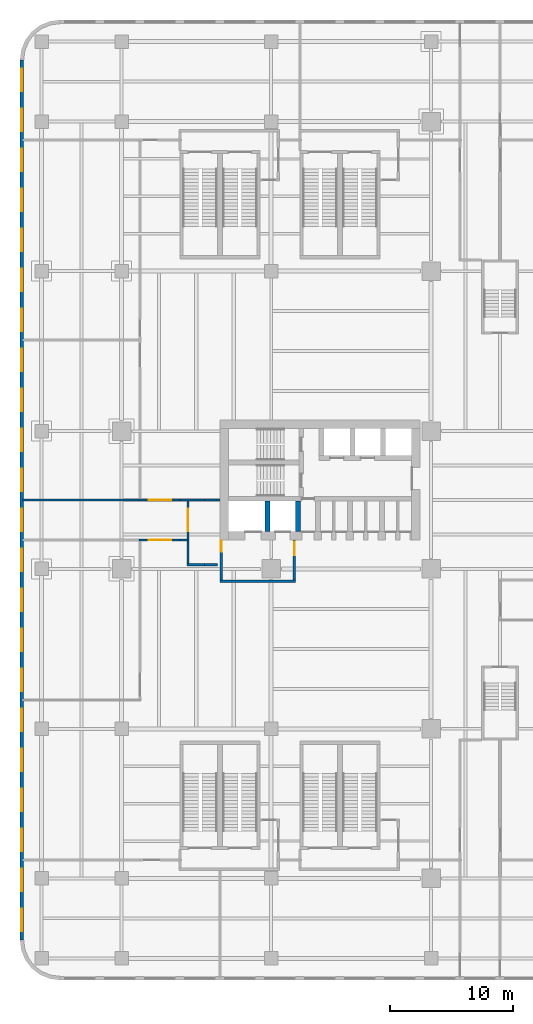
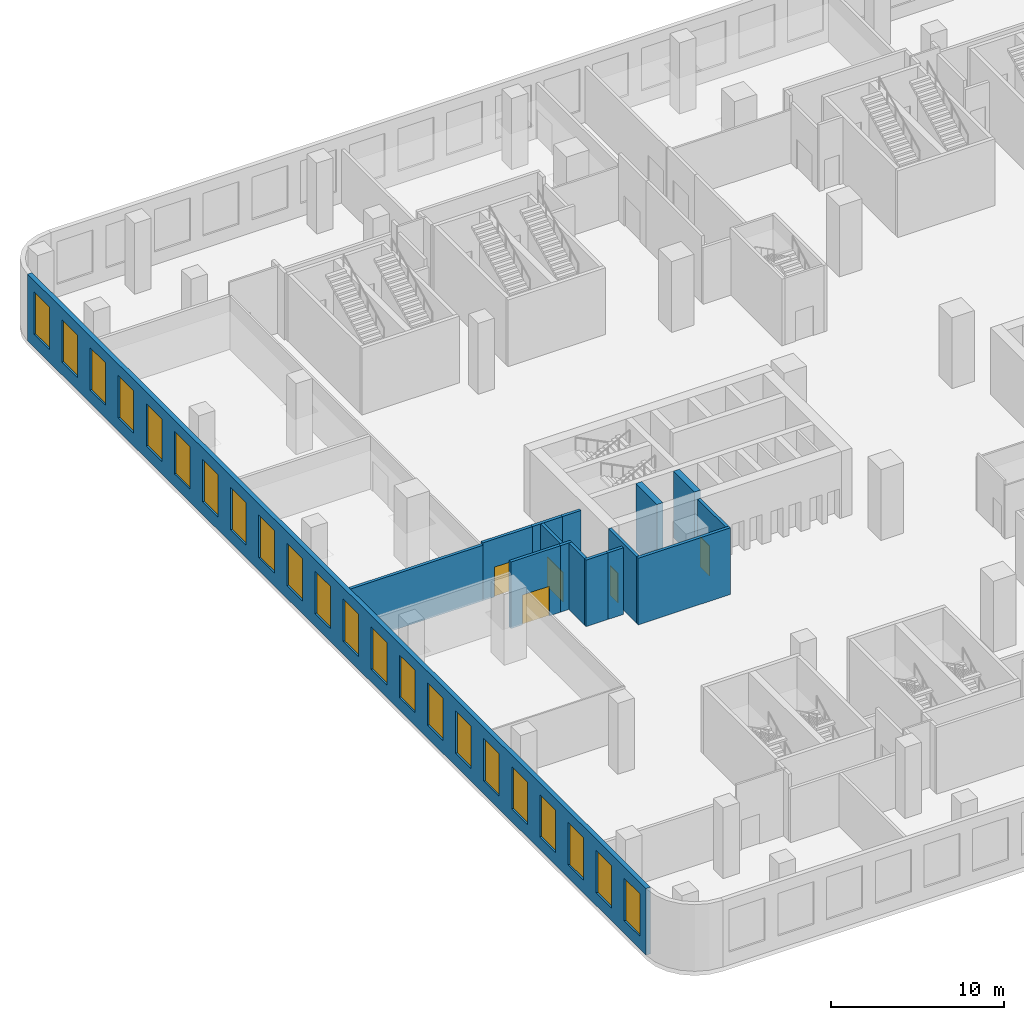
# One storey, part 8 of 17: 22 windows, 16 walls, 5 doors, 27 openings.
"""IFC4 building model written with IfcOpenShell, lengths in metres."""

from ifc_helpers import new_model, si_unit, direction, frame, frame_2d, origin, place, context, subcontext, project, spatial, rectangle, extrude, source, transform, mapped, material, layer, layer_set, type_object, element, fill, save


model = new_model("IFC4")

# Units and contexts
model_context = context("Model", 3, precision=1e-05, world=origin(), true_north=direction((0.0, 1.0)))
body_context = subcontext(model_context, "Body", "Model", "MODEL_VIEW")
ifc_project = project(units=[si_unit("LENGTHUNIT", "METRE"), si_unit("AREAUNIT", "SQUARE_METRE"), si_unit("VOLUMEUNIT", "CUBIC_METRE"), si_unit("PLANEANGLEUNIT", "RADIAN"), si_unit("MASSUNIT", "GRAM", prefix="KILO")], contexts=[model_context])

# Site, building, storey
site_placement = place(None, origin())
site = spatial("IfcSite", under=ifc_project, at=site_placement, CompositionType="ELEMENT")
building_placement = place(site_placement, origin())
building = spatial("IfcBuilding", under=site, at=building_placement, Name="Trellis Farm Tower", CompositionType="ELEMENT")
storey_placement = place(building_placement, frame((0.0, 0.0, 19.0)))
storey = spatial("IfcBuildingStorey", under=building, at=storey_placement, Name="L03", CompositionType="ELEMENT", Elevation=19.0)

# Walls
ifc_material_1 = material(Name="Concrete C80/95", Category="concrete")
ifc_layer_1 = layer(ifc_material_1, 0.39990234375)
ifc_layer_set_1 = layer_set([ifc_layer_1], Name="CORE INNER WALL 400 CONCRETE C80/95")
wall_type_1 = type_object("IfcWallType", Name="CORE INNER WALL 400 CONCRETE C80/95", PredefinedType="SHEAR", material=ifc_layer_set_1)
shared_shape_1 = source(origin(), body_context, "Body", "SweptSolid", [
    extrude(rectangle(XDim=2.449951171875, YDim=0.39990234375, at=frame_2d((1.22509765625, 0.0))), origin(), (0.0, 0.0, 1.0), 4.699951171875),
])
for number, where, z_axis, x_axis, name in (
    (1, (-16.39990234375, -0.10009765625, 0.0), (0.0, 0.0, 1.0), (0.0, -1.0, 0.0), "Core wall"),
    (2, (-18.89990234375, -0.10009765625, 0.0), (0.0, 0.0, 1.0), (0.0, -1.0, 0.0), "Core wall"),
):
    element("IfcWall", number, at=place(storey_placement, frame(where, z_axis=z_axis, x_axis=x_axis)), inside=storey, type_object=wall_type_1, Name=name, PredefinedType="SHEAR", context=body_context, shape_type="MappedRepresentation", body=[
        mapped(shared_shape_1, transform((0.0, 0.0, 0.0))),
    ])

# Wall, opening, door
ifc_material_2 = material(Name="Masonry blockwork", Category="masonry")
ifc_layer_2 = layer(ifc_material_2, 0.199951171875)
ifc_layer_set_2 = layer_set([ifc_layer_2], Name="FIRE LOBBY PARTITION 200 BLOCKWORK")
wall_type_2 = type_object("IfcWallType", Name="FIRE LOBBY PARTITION 200 BLOCKWORK", PredefinedType="PARTITIONING", material=ifc_layer_set_2)
shared_shape_2 = source(origin(), body_context, "Body", "SweptSolid", [
    extrude(rectangle(XDim=3.25, YDim=0.199951171875, at=frame_2d((1.625, 0.0))), origin(), (0.0, 0.0, 1.0), 4.699951171875),
])
wall_1_placement = place(storey_placement, frame((-16.699951171875, -3.25, 0.0), z_axis=(0.0, 0.0, 1.0), x_axis=(0.0, -1.0, 0.0)))
wall_1 = element("IfcWall", 3, at=wall_1_placement, inside=storey, type_object=wall_type_2, Name="Fire-fighting lobby partition", PredefinedType="PARTITIONING", context=body_context, shape_type="MappedRepresentation", body=[
    mapped(shared_shape_2, transform((0.0, 0.0, 0.0))),
])
shared_shape_3 = source(origin(), body_context, "Body", "SweptSolid", [
    extrude(rectangle(XDim=1.10009765625, YDim=2.10009765625, at=frame_2d((0.550048828125, 1.050048828125))), frame((0.0, 0.110107421875, 0.0), z_axis=(0.0, -1.0, 0.0), x_axis=(1.0, 0.0, 0.0)), (0.0, 0.0, 1.0), 0.22021484375),
])
opening_1_placement = place(wall_1_placement, frame((0.14990234375, 0.0, 0.0)))
opening_1 = element("IfcOpeningElement", 4, at=opening_1_placement, cuts=wall_1, Name="Opening DC93", PredefinedType="OPENING", context=body_context, shape_type="MappedRepresentation", body=[
    mapped(shared_shape_3, transform((0.0, 0.0, 0.0))),
])
ifc_material_3 = material(Name="Steel", Category="steel")
door_type_1 = type_object("IfcDoorType", Name="CORE FIRE DOOR 1100 X 2100", OperationType="NOTDEFINED", PredefinedType="DOOR", material=ifc_material_3)
shared_shape_4 = source(origin(), body_context, "Body", "SweptSolid", [
    extrude(rectangle(XDim=1.10009765625, YDim=2.10009765625, at=frame_2d((0.550048828125, 1.050048828125))), frame((0.0, 0.02490234375, 0.0), z_axis=(0.0, -1.0, 0.0), x_axis=(1.0, 0.0, 0.0)), (0.0, 0.0, 1.0), 0.050048828125),
])
door_1_placement = place(opening_1_placement, origin())
door_1 = element("IfcDoor", 5, at=door_1_placement, inside=storey, type_object=door_type_1, Name="Core door", OperationType="SINGLE_SWING_RIGHT", OverallHeight=2.10009765625, OverallWidth=1.10009765625, PredefinedType="DOOR", context=body_context, shape_type="MappedRepresentation", body=[
    mapped(shared_shape_4, transform((0.0, 0.0, 0.0))),
])
fill(opening_1, door_1)

wall_2_placement = place(storey_placement, frame((-22.64990234375, -3.25, 0.0), z_axis=(0.0, 0.0, 1.0), x_axis=(0.0, -1.0, 0.0)))
wall_2 = element("IfcWall", 6, at=wall_2_placement, inside=storey, type_object=wall_type_2, Name="Fire-fighting lobby partition", PredefinedType="PARTITIONING", context=body_context, shape_type="MappedRepresentation", body=[
    mapped(shared_shape_2, transform((0.0, 0.0, 0.0))),
])
shared_shape_5 = source(origin(), body_context, "Body", "SweptSolid", [
    extrude(rectangle(XDim=0.89990234375, YDim=2.10009765625, at=frame_2d((0.449951171875, 1.050048828125))), frame((0.0, 0.110107421875, 0.0), z_axis=(0.0, -1.0, 0.0), x_axis=(1.0, 0.0, 0.0)), (0.0, 0.0, 1.0), 0.22021484375),
])
opening_2_placement = place(wall_2_placement, frame((0.050048828125, 0.0, 0.0)))
opening_2 = element("IfcOpeningElement", 7, at=opening_2_placement, cuts=wall_2, Name="Opening DC94", PredefinedType="OPENING", context=body_context, shape_type="MappedRepresentation", body=[
    mapped(shared_shape_5, transform((0.0, 0.0, 0.0))),
])
door_type_2 = type_object("IfcDoorType", Name="CORE FIRE DOOR 900 X 2100", OperationType="NOTDEFINED", PredefinedType="DOOR", material=ifc_material_3)
shared_shape_6 = source(origin(), body_context, "Body", "SweptSolid", [
    extrude(rectangle(XDim=0.89990234375, YDim=2.10009765625, at=frame_2d((0.449951171875, 1.050048828125))), frame((0.0, 0.02490234375, 0.0), z_axis=(0.0, -1.0, 0.0), x_axis=(1.0, 0.0, 0.0)), (0.0, 0.0, 1.0), 0.050048828125),
])
door_2_placement = place(opening_2_placement, origin())
door_2 = element("IfcDoor", 8, at=door_2_placement, inside=storey, type_object=door_type_2, Name="Core door", OperationType="SINGLE_SWING_RIGHT", OverallHeight=2.10009765625, OverallWidth=0.89990234375, PredefinedType="DOOR", context=body_context, shape_type="MappedRepresentation", body=[
    mapped(shared_shape_6, transform((0.0, 0.0, 0.0))),
])
fill(opening_2, door_2)

# Wall
shared_shape_7 = source(origin(), body_context, "Body", "SweptSolid", [
    extrude(rectangle(XDim=6.14990234375, YDim=0.199951171875, at=frame_2d((3.074951171875, 0.0))), origin(), (0.0, 0.0, 1.0), 4.699951171875),
])
wall_3_placement = place(storey_placement, frame((-16.60009765625, -6.60009765625, 0.0), z_axis=(0.0, 0.0, 1.0), x_axis=(-1.0, 0.0, 0.0)))
element("IfcWall", 9, at=wall_3_placement, inside=storey, type_object=wall_type_2, Name="Fire-fighting lobby partition", PredefinedType="PARTITIONING", context=body_context, shape_type="MappedRepresentation", body=[
    mapped(shared_shape_7, transform((0.0, 0.0, 0.0))),
])

# Wall, openings, windows
ifc_material_4 = material(Name="Sandstone faced insulated wall", Category="masonry")
ifc_layer_3 = layer(ifc_material_4, 0.300048828125)
ifc_layer_set_3 = layer_set([ifc_layer_3], Name="STONE CLAD EXTERNAL WALL 300")
wall_type_3 = type_object("IfcWallType", Name="STONE CLAD EXTERNAL WALL 300", PredefinedType="SOLIDWALL", material=ifc_layer_set_3)
shared_shape_8 = source(origin(), body_context, "Body", "SweptSolid", [
    extrude(rectangle(XDim=71.5, YDim=0.300048828125, at=frame_2d((35.75, 0.0))), origin(), (0.0, 0.0, 1.0), 4.699951171875),
])
wall_4_placement = place(storey_placement, frame((-38.85009765625, 35.75, 0.0), z_axis=(0.0, 0.0, 1.0), x_axis=(0.0, -1.0, 0.0)))
wall_4 = element("IfcWall", 10, at=wall_4_placement, inside=storey, type_object=wall_type_3, Name="EW2 F03", PredefinedType="SOLIDWALL", context=body_context, shape_type="MappedRepresentation", body=[
    mapped(shared_shape_8, transform((0.0, 0.0, 0.0))),
])
shared_shape_9 = source(origin(), body_context, "Body", "SweptSolid", [
    extrude(rectangle(XDim=1.800048828125, YDim=3.0, at=frame_2d((0.89990234375, 1.5))), frame((0.0, 0.16015625, 0.0), z_axis=(0.0, -1.0, 0.0), x_axis=(1.0, 0.0, 0.0)), (0.0, 0.0, 1.0), 0.3203125),
])
opening_3_placement = place(wall_4_placement, frame((0.72509765625, 0.0, 0.89990234375)))
opening_3 = element("IfcOpeningElement", 11, at=opening_3_placement, cuts=wall_4, Name="Opening WN2", PredefinedType="OPENING", context=body_context, shape_type="MappedRepresentation", body=[
    mapped(shared_shape_9, transform((0.0, 0.0, 0.0))),
])
opening_4_placement = place(wall_4_placement, frame((3.97509765625, 0.0, 0.89990234375)))
opening_4 = element("IfcOpeningElement", 12, at=opening_4_placement, cuts=wall_4, Name="Opening WN2", PredefinedType="OPENING", context=body_context, shape_type="MappedRepresentation", body=[
    mapped(shared_shape_9, transform((0.0, 0.0, 0.0))),
])
opening_5_placement = place(wall_4_placement, frame((7.22509765625, 0.0, 0.89990234375)))
opening_5 = element("IfcOpeningElement", 13, at=opening_5_placement, cuts=wall_4, Name="Opening WN2", PredefinedType="OPENING", context=body_context, shape_type="MappedRepresentation", body=[
    mapped(shared_shape_9, transform((0.0, 0.0, 0.0))),
])
opening_6_placement = place(wall_4_placement, frame((10.47509765625, 0.0, 0.89990234375)))
opening_6 = element("IfcOpeningElement", 14, at=opening_6_placement, cuts=wall_4, Name="Opening WN2", PredefinedType="OPENING", context=body_context, shape_type="MappedRepresentation", body=[
    mapped(shared_shape_9, transform((0.0, 0.0, 0.0))),
])
opening_7_placement = place(wall_4_placement, frame((13.72509765625, 0.0, 0.89990234375)))
opening_7 = element("IfcOpeningElement", 15, at=opening_7_placement, cuts=wall_4, Name="Opening WN2", PredefinedType="OPENING", context=body_context, shape_type="MappedRepresentation", body=[
    mapped(shared_shape_9, transform((0.0, 0.0, 0.0))),
])
opening_8_placement = place(wall_4_placement, frame((16.97509765625, 0.0, 0.89990234375)))
opening_8 = element("IfcOpeningElement", 16, at=opening_8_placement, cuts=wall_4, Name="Opening WN2", PredefinedType="OPENING", context=body_context, shape_type="MappedRepresentation", body=[
    mapped(shared_shape_9, transform((0.0, 0.0, 0.0))),
])
opening_9_placement = place(wall_4_placement, frame((20.22509765625, 0.0, 0.89990234375)))
opening_9 = element("IfcOpeningElement", 17, at=opening_9_placement, cuts=wall_4, Name="Opening WN2", PredefinedType="OPENING", context=body_context, shape_type="MappedRepresentation", body=[
    mapped(shared_shape_9, transform((0.0, 0.0, 0.0))),
])
opening_10_placement = place(wall_4_placement, frame((23.47509765625, 0.0, 0.89990234375)))
opening_10 = element("IfcOpeningElement", 18, at=opening_10_placement, cuts=wall_4, Name="Opening WN2", PredefinedType="OPENING", context=body_context, shape_type="MappedRepresentation", body=[
    mapped(shared_shape_9, transform((0.0, 0.0, 0.0))),
])
opening_11_placement = place(wall_4_placement, frame((26.72509765625, 0.0, 0.89990234375)))
opening_11 = element("IfcOpeningElement", 19, at=opening_11_placement, cuts=wall_4, Name="Opening WN2", PredefinedType="OPENING", context=body_context, shape_type="MappedRepresentation", body=[
    mapped(shared_shape_9, transform((0.0, 0.0, 0.0))),
])
opening_12_placement = place(wall_4_placement, frame((29.97509765625, 0.0, 0.89990234375)))
opening_12 = element("IfcOpeningElement", 20, at=opening_12_placement, cuts=wall_4, Name="Opening WN2", PredefinedType="OPENING", context=body_context, shape_type="MappedRepresentation", body=[
    mapped(shared_shape_9, transform((0.0, 0.0, 0.0))),
])
opening_13_placement = place(wall_4_placement, frame((33.22509765625, 0.0, 0.89990234375)))
opening_13 = element("IfcOpeningElement", 21, at=opening_13_placement, cuts=wall_4, Name="Opening WN2", PredefinedType="OPENING", context=body_context, shape_type="MappedRepresentation", body=[
    mapped(shared_shape_9, transform((0.0, 0.0, 0.0))),
])
opening_14_placement = place(wall_4_placement, frame((36.47509765625, 0.0, 0.89990234375)))
opening_14 = element("IfcOpeningElement", 22, at=opening_14_placement, cuts=wall_4, Name="Opening WN2", PredefinedType="OPENING", context=body_context, shape_type="MappedRepresentation", body=[
    mapped(shared_shape_9, transform((0.0, 0.0, 0.0))),
])
opening_15_placement = place(wall_4_placement, frame((39.72509765625, 0.0, 0.89990234375)))
opening_15 = element("IfcOpeningElement", 23, at=opening_15_placement, cuts=wall_4, Name="Opening WN2", PredefinedType="OPENING", context=body_context, shape_type="MappedRepresentation", body=[
    mapped(shared_shape_9, transform((0.0, 0.0, 0.0))),
])
opening_16_placement = place(wall_4_placement, frame((42.97509765625, 0.0, 0.89990234375)))
opening_16 = element("IfcOpeningElement", 24, at=opening_16_placement, cuts=wall_4, Name="Opening WN2", PredefinedType="OPENING", context=body_context, shape_type="MappedRepresentation", body=[
    mapped(shared_shape_9, transform((0.0, 0.0, 0.0))),
])
opening_17_placement = place(wall_4_placement, frame((46.22509765625, 0.0, 0.89990234375)))
opening_17 = element("IfcOpeningElement", 25, at=opening_17_placement, cuts=wall_4, Name="Opening WN2", PredefinedType="OPENING", context=body_context, shape_type="MappedRepresentation", body=[
    mapped(shared_shape_9, transform((0.0, 0.0, 0.0))),
])
opening_18_placement = place(wall_4_placement, frame((49.47509765625, 0.0, 0.89990234375)))
opening_18 = element("IfcOpeningElement", 26, at=opening_18_placement, cuts=wall_4, Name="Opening WN2", PredefinedType="OPENING", context=body_context, shape_type="MappedRepresentation", body=[
    mapped(shared_shape_9, transform((0.0, 0.0, 0.0))),
])
opening_19_placement = place(wall_4_placement, frame((52.72509765625, 0.0, 0.89990234375)))
opening_19 = element("IfcOpeningElement", 27, at=opening_19_placement, cuts=wall_4, Name="Opening WN2", PredefinedType="OPENING", context=body_context, shape_type="MappedRepresentation", body=[
    mapped(shared_shape_9, transform((0.0, 0.0, 0.0))),
])
opening_20_placement = place(wall_4_placement, frame((55.97509765625, 0.0, 0.89990234375)))
opening_20 = element("IfcOpeningElement", 28, at=opening_20_placement, cuts=wall_4, Name="Opening WN2", PredefinedType="OPENING", context=body_context, shape_type="MappedRepresentation", body=[
    mapped(shared_shape_9, transform((0.0, 0.0, 0.0))),
])
opening_21_placement = place(wall_4_placement, frame((59.22509765625, 0.0, 0.89990234375)))
opening_21 = element("IfcOpeningElement", 29, at=opening_21_placement, cuts=wall_4, Name="Opening WN2", PredefinedType="OPENING", context=body_context, shape_type="MappedRepresentation", body=[
    mapped(shared_shape_9, transform((0.0, 0.0, 0.0))),
])
opening_22_placement = place(wall_4_placement, frame((62.47509765625, 0.0, 0.89990234375)))
opening_22 = element("IfcOpeningElement", 30, at=opening_22_placement, cuts=wall_4, Name="Opening WN2", PredefinedType="OPENING", context=body_context, shape_type="MappedRepresentation", body=[
    mapped(shared_shape_9, transform((0.0, 0.0, 0.0))),
])
opening_23_placement = place(wall_4_placement, frame((65.72509765625, 0.0, 0.89990234375)))
opening_23 = element("IfcOpeningElement", 31, at=opening_23_placement, cuts=wall_4, Name="Opening WN2", PredefinedType="OPENING", context=body_context, shape_type="MappedRepresentation", body=[
    mapped(shared_shape_9, transform((0.0, 0.0, 0.0))),
])
opening_24_placement = place(wall_4_placement, frame((68.97509765625, 0.0, 0.89990234375)))
opening_24 = element("IfcOpeningElement", 32, at=opening_24_placement, cuts=wall_4, Name="Opening WN2", PredefinedType="OPENING", context=body_context, shape_type="MappedRepresentation", body=[
    mapped(shared_shape_9, transform((0.0, 0.0, 0.0))),
])
ifc_material_5 = material(Name="Clear insulated glass", Category="glass")
window_type = type_object("IfcWindowType", Name="PODIUM WINDOW 1800x3000", PartitioningType="SINGLE_PANEL", PredefinedType="WINDOW", material=ifc_material_5)
shared_shape_10 = source(origin(), body_context, "Body", "SweptSolid", [
    extrude(rectangle(XDim=1.800048828125, YDim=3.0, at=frame_2d((0.89990234375, 1.5))), frame((0.0, 0.030029296875, 0.0), z_axis=(0.0, -1.0, 0.0), x_axis=(1.0, 0.0, 0.0)), (0.0, 0.0, 1.0), 0.06005859375),
])
window_1_placement = place(opening_3_placement, origin())
window_1 = element("IfcWindow", 33, at=window_1_placement, inside=storey, type_object=window_type, Name="WN2 045", OverallHeight=3.0, OverallWidth=1.800048828125, PartitioningType="SINGLE_PANEL", PredefinedType="WINDOW", context=body_context, shape_type="MappedRepresentation", body=[
    mapped(shared_shape_10, transform((0.0, 0.0, 0.0))),
])
fill(opening_3, window_1)
window_2_placement = place(opening_4_placement, origin())
window_2 = element("IfcWindow", 34, at=window_2_placement, inside=storey, type_object=window_type, Name="WN2 046", OverallHeight=3.0, OverallWidth=1.800048828125, PartitioningType="SINGLE_PANEL", PredefinedType="WINDOW", context=body_context, shape_type="MappedRepresentation", body=[
    mapped(shared_shape_10, transform((0.0, 0.0, 0.0))),
])
fill(opening_4, window_2)
window_3_placement = place(opening_5_placement, origin())
window_3 = element("IfcWindow", 35, at=window_3_placement, inside=storey, type_object=window_type, Name="WN2 047", OverallHeight=3.0, OverallWidth=1.800048828125, PartitioningType="SINGLE_PANEL", PredefinedType="WINDOW", context=body_context, shape_type="MappedRepresentation", body=[
    mapped(shared_shape_10, transform((0.0, 0.0, 0.0))),
])
fill(opening_5, window_3)
window_4_placement = place(opening_6_placement, origin())
window_4 = element("IfcWindow", 36, at=window_4_placement, inside=storey, type_object=window_type, Name="WN2 048", OverallHeight=3.0, OverallWidth=1.800048828125, PartitioningType="SINGLE_PANEL", PredefinedType="WINDOW", context=body_context, shape_type="MappedRepresentation", body=[
    mapped(shared_shape_10, transform((0.0, 0.0, 0.0))),
])
fill(opening_6, window_4)
window_5_placement = place(opening_7_placement, origin())
window_5 = element("IfcWindow", 37, at=window_5_placement, inside=storey, type_object=window_type, Name="WN2 049", OverallHeight=3.0, OverallWidth=1.800048828125, PartitioningType="SINGLE_PANEL", PredefinedType="WINDOW", context=body_context, shape_type="MappedRepresentation", body=[
    mapped(shared_shape_10, transform((0.0, 0.0, 0.0))),
])
fill(opening_7, window_5)
window_6_placement = place(opening_8_placement, origin())
window_6 = element("IfcWindow", 38, at=window_6_placement, inside=storey, type_object=window_type, Name="WN2 050", OverallHeight=3.0, OverallWidth=1.800048828125, PartitioningType="SINGLE_PANEL", PredefinedType="WINDOW", context=body_context, shape_type="MappedRepresentation", body=[
    mapped(shared_shape_10, transform((0.0, 0.0, 0.0))),
])
fill(opening_8, window_6)
window_7_placement = place(opening_9_placement, origin())
window_7 = element("IfcWindow", 39, at=window_7_placement, inside=storey, type_object=window_type, Name="WN2 051", OverallHeight=3.0, OverallWidth=1.800048828125, PartitioningType="SINGLE_PANEL", PredefinedType="WINDOW", context=body_context, shape_type="MappedRepresentation", body=[
    mapped(shared_shape_10, transform((0.0, 0.0, 0.0))),
])
fill(opening_9, window_7)
window_8_placement = place(opening_10_placement, origin())
window_8 = element("IfcWindow", 40, at=window_8_placement, inside=storey, type_object=window_type, Name="WN2 052", OverallHeight=3.0, OverallWidth=1.800048828125, PartitioningType="SINGLE_PANEL", PredefinedType="WINDOW", context=body_context, shape_type="MappedRepresentation", body=[
    mapped(shared_shape_10, transform((0.0, 0.0, 0.0))),
])
fill(opening_10, window_8)
window_9_placement = place(opening_11_placement, origin())
window_9 = element("IfcWindow", 41, at=window_9_placement, inside=storey, type_object=window_type, Name="WN2 053", OverallHeight=3.0, OverallWidth=1.800048828125, PartitioningType="SINGLE_PANEL", PredefinedType="WINDOW", context=body_context, shape_type="MappedRepresentation", body=[
    mapped(shared_shape_10, transform((0.0, 0.0, 0.0))),
])
fill(opening_11, window_9)
window_10_placement = place(opening_12_placement, origin())
window_10 = element("IfcWindow", 42, at=window_10_placement, inside=storey, type_object=window_type, Name="WN2 054", OverallHeight=3.0, OverallWidth=1.800048828125, PartitioningType="SINGLE_PANEL", PredefinedType="WINDOW", context=body_context, shape_type="MappedRepresentation", body=[
    mapped(shared_shape_10, transform((0.0, 0.0, 0.0))),
])
fill(opening_12, window_10)
window_11_placement = place(opening_13_placement, origin())
window_11 = element("IfcWindow", 43, at=window_11_placement, inside=storey, type_object=window_type, Name="WN2 055", OverallHeight=3.0, OverallWidth=1.800048828125, PartitioningType="SINGLE_PANEL", PredefinedType="WINDOW", context=body_context, shape_type="MappedRepresentation", body=[
    mapped(shared_shape_10, transform((0.0, 0.0, 0.0))),
])
fill(opening_13, window_11)
window_12_placement = place(opening_14_placement, origin())
window_12 = element("IfcWindow", 44, at=window_12_placement, inside=storey, type_object=window_type, Name="WN2 056", OverallHeight=3.0, OverallWidth=1.800048828125, PartitioningType="SINGLE_PANEL", PredefinedType="WINDOW", context=body_context, shape_type="MappedRepresentation", body=[
    mapped(shared_shape_10, transform((0.0, 0.0, 0.0))),
])
fill(opening_14, window_12)
window_13_placement = place(opening_15_placement, origin())
window_13 = element("IfcWindow", 45, at=window_13_placement, inside=storey, type_object=window_type, Name="WN2 057", OverallHeight=3.0, OverallWidth=1.800048828125, PartitioningType="SINGLE_PANEL", PredefinedType="WINDOW", context=body_context, shape_type="MappedRepresentation", body=[
    mapped(shared_shape_10, transform((0.0, 0.0, 0.0))),
])
fill(opening_15, window_13)
window_14_placement = place(opening_16_placement, origin())
window_14 = element("IfcWindow", 46, at=window_14_placement, inside=storey, type_object=window_type, Name="WN2 058", OverallHeight=3.0, OverallWidth=1.800048828125, PartitioningType="SINGLE_PANEL", PredefinedType="WINDOW", context=body_context, shape_type="MappedRepresentation", body=[
    mapped(shared_shape_10, transform((0.0, 0.0, 0.0))),
])
fill(opening_16, window_14)
window_15_placement = place(opening_17_placement, origin())
window_15 = element("IfcWindow", 47, at=window_15_placement, inside=storey, type_object=window_type, Name="WN2 059", OverallHeight=3.0, OverallWidth=1.800048828125, PartitioningType="SINGLE_PANEL", PredefinedType="WINDOW", context=body_context, shape_type="MappedRepresentation", body=[
    mapped(shared_shape_10, transform((0.0, 0.0, 0.0))),
])
fill(opening_17, window_15)
window_16_placement = place(opening_18_placement, origin())
window_16 = element("IfcWindow", 48, at=window_16_placement, inside=storey, type_object=window_type, Name="WN2 060", OverallHeight=3.0, OverallWidth=1.800048828125, PartitioningType="SINGLE_PANEL", PredefinedType="WINDOW", context=body_context, shape_type="MappedRepresentation", body=[
    mapped(shared_shape_10, transform((0.0, 0.0, 0.0))),
])
fill(opening_18, window_16)
window_17_placement = place(opening_19_placement, origin())
window_17 = element("IfcWindow", 49, at=window_17_placement, inside=storey, type_object=window_type, Name="WN2 061", OverallHeight=3.0, OverallWidth=1.800048828125, PartitioningType="SINGLE_PANEL", PredefinedType="WINDOW", context=body_context, shape_type="MappedRepresentation", body=[
    mapped(shared_shape_10, transform((0.0, 0.0, 0.0))),
])
fill(opening_19, window_17)
window_18_placement = place(opening_20_placement, origin())
window_18 = element("IfcWindow", 50, at=window_18_placement, inside=storey, type_object=window_type, Name="WN2 062", OverallHeight=3.0, OverallWidth=1.800048828125, PartitioningType="SINGLE_PANEL", PredefinedType="WINDOW", context=body_context, shape_type="MappedRepresentation", body=[
    mapped(shared_shape_10, transform((0.0, 0.0, 0.0))),
])
fill(opening_20, window_18)
window_19_placement = place(opening_21_placement, origin())
window_19 = element("IfcWindow", 51, at=window_19_placement, inside=storey, type_object=window_type, Name="WN2 063", OverallHeight=3.0, OverallWidth=1.800048828125, PartitioningType="SINGLE_PANEL", PredefinedType="WINDOW", context=body_context, shape_type="MappedRepresentation", body=[
    mapped(shared_shape_10, transform((0.0, 0.0, 0.0))),
])
fill(opening_21, window_19)
window_20_placement = place(opening_22_placement, origin())
window_20 = element("IfcWindow", 52, at=window_20_placement, inside=storey, type_object=window_type, Name="WN2 064", OverallHeight=3.0, OverallWidth=1.800048828125, PartitioningType="SINGLE_PANEL", PredefinedType="WINDOW", context=body_context, shape_type="MappedRepresentation", body=[
    mapped(shared_shape_10, transform((0.0, 0.0, 0.0))),
])
fill(opening_22, window_20)
window_21_placement = place(opening_23_placement, origin())
window_21 = element("IfcWindow", 53, at=window_21_placement, inside=storey, type_object=window_type, Name="WN2 065", OverallHeight=3.0, OverallWidth=1.800048828125, PartitioningType="SINGLE_PANEL", PredefinedType="WINDOW", context=body_context, shape_type="MappedRepresentation", body=[
    mapped(shared_shape_10, transform((0.0, 0.0, 0.0))),
])
fill(opening_23, window_21)
window_22_placement = place(opening_24_placement, origin())
window_22 = element("IfcWindow", 54, at=window_22_placement, inside=storey, type_object=window_type, Name="WN2 066", OverallHeight=3.0, OverallWidth=1.800048828125, PartitioningType="SINGLE_PANEL", PredefinedType="WINDOW", context=body_context, shape_type="MappedRepresentation", body=[
    mapped(shared_shape_10, transform((0.0, 0.0, 0.0))),
])
fill(opening_24, window_22)

# Wall, opening, door
ifc_material_6 = material(Name="Lightweight blockwork, plastered", Category="masonry")
ifc_layer_4 = layer(ifc_material_6, 0.199951171875)
ifc_layer_set_4 = layer_set([ifc_layer_4], Name="BLOCK WALL 200 EI 120")
wall_type_4 = type_object("IfcWallType", Name="BLOCK WALL 200 EI 120", PredefinedType="PARTITIONING", material=ifc_layer_set_4)
shared_shape_11 = source(origin(), body_context, "Body", "SweptSolid", [
    extrude(rectangle(XDim=3.0498046875, YDim=0.199951171875, at=frame_2d((1.52490234375, 0.0))), origin(), (0.0, 0.0, 1.0), 4.077392578125),
])
wall_5_placement = place(storey_placement, frame((-25.35009765625, -3.14990234375, 0.0), z_axis=(0.0, 0.0, 1.0), x_axis=(0.0, 1.0, 0.0)))
wall_5 = element("IfcWall", 55, at=wall_5_placement, inside=storey, type_object=wall_type_4, Name="Partition PW3", PredefinedType="PARTITIONING", context=body_context, shape_type="MappedRepresentation", body=[
    mapped(shared_shape_11, transform((0.0, 0.0, 0.0))),
])
shared_shape_12 = source(origin(), body_context, "Body", "SweptSolid", [
    extrude(rectangle(XDim=1.800048828125, YDim=2.10009765625, at=frame_2d((0.89990234375, 1.050048828125))), frame((0.0, 0.110107421875, 0.0), z_axis=(0.0, -1.0, 0.0), x_axis=(1.0, 0.0, 0.0)), (0.0, 0.0, 1.0), 0.22021484375),
])
opening_25_placement = place(wall_5_placement, frame((0.625, 0.0, 0.0)))
opening_25 = element("IfcOpeningElement", 56, at=opening_25_placement, cuts=wall_5, Name="Opening D408", PredefinedType="OPENING", context=body_context, shape_type="MappedRepresentation", body=[
    mapped(shared_shape_12, transform((0.0, 0.0, 0.0))),
])
ifc_material_7 = material(Name="Fire-rated timber door leaf in a hollow metal frame", Category="wood")
door_type_3 = type_object("IfcDoorType", Name="DOOR PAIR 1800x2100 FD60", OperationType="NOTDEFINED", PredefinedType="DOOR", material=ifc_material_7)
shared_shape_13 = source(origin(), body_context, "Body", "SweptSolid", [
    extrude(rectangle(XDim=1.800048828125, YDim=2.10009765625, at=frame_2d((0.89990234375, 1.050048828125))), frame((0.0, 0.02490234375, 0.0), z_axis=(0.0, -1.0, 0.0), x_axis=(1.0, 0.0, 0.0)), (0.0, 0.0, 1.0), 0.050048828125),
])
door_3_placement = place(opening_25_placement, origin())
door_3 = element("IfcDoor", 57, at=door_3_placement, inside=storey, type_object=door_type_3, Name="Door D408", OperationType="DOUBLE_DOOR_SINGLE_SWING", OverallHeight=2.10009765625, OverallWidth=1.800048828125, PredefinedType="DOOR", context=body_context, shape_type="MappedRepresentation", body=[
    mapped(shared_shape_13, transform((0.0, 0.0, 0.0))),
])
fill(opening_25, door_3)

# Walls
shared_shape_14 = source(origin(), body_context, "Body", "SweptSolid", [
    extrude(rectangle(XDim=1.7998046875, YDim=0.199951171875, at=frame_2d((0.89990234375, 0.0))), origin(), (0.0, 0.0, 1.0), 4.699951171875),
])
wall_6_placement = place(storey_placement, frame((-25.35009765625, -3.35009765625, 0.0), z_axis=(0.0, 0.0, 1.0), x_axis=(0.0, -1.0, 0.0)))
element("IfcWall", 58, at=wall_6_placement, inside=storey, type_object=wall_type_4, Name="Partition PW3", PredefinedType="PARTITIONING", context=body_context, shape_type="MappedRepresentation", body=[
    mapped(shared_shape_14, transform((0.0, 0.0, 0.0))),
])
shared_shape_15 = source(origin(), body_context, "Body", "SweptSolid", [
    extrude(rectangle(XDim=1.25, YDim=0.199951171875, at=frame_2d((0.625, 0.0))), origin(), (0.0, 0.0, 1.0), 4.077392578125),
])
wall_7_placement = place(storey_placement, frame((-24.0, 0.0, 0.0), z_axis=(0.0, 0.0, 1.0), x_axis=(1.0, 0.0, 0.0)))
element("IfcWall", 59, at=wall_7_placement, inside=storey, type_object=wall_type_4, Name="Partition PW3", PredefinedType="PARTITIONING", context=body_context, shape_type="MappedRepresentation", body=[
    mapped(shared_shape_15, transform((0.0, 0.0, 0.0))),
])
shared_shape_16 = source(origin(), body_context, "Body", "SweptSolid", [
    extrude(rectangle(XDim=2.0, YDim=0.199951171875, at=frame_2d((1.0, 0.0))), origin(), (0.0, 0.0, 1.0), 4.077392578125),
])
wall_8_placement = place(storey_placement, frame((-26.0, 0.0, 0.0), z_axis=(0.0, 0.0, 1.0), x_axis=(1.0, 0.0, 0.0)))
element("IfcWall", 60, at=wall_8_placement, inside=storey, type_object=wall_type_4, Name="Partition PW3", PredefinedType="PARTITIONING", context=body_context, shape_type="MappedRepresentation", body=[
    mapped(shared_shape_16, transform((0.0, 0.0, 0.0))),
])
shared_shape_17 = source(origin(), body_context, "Body", "SweptSolid", [
    extrude(rectangle(XDim=0.75, YDim=0.199951171875, at=frame_2d((0.375, 0.0))), origin(), (0.0, 0.0, 1.0), 4.699951171875),
])
wall_9_placement = place(storey_placement, frame((-25.25, -3.25, 0.0), z_axis=(0.0, 0.0, 1.0), x_axis=(-1.0, 0.0, 0.0)))
element("IfcWall", 61, at=wall_9_placement, inside=storey, type_object=wall_type_4, Name="Partition PW3", PredefinedType="PARTITIONING", context=body_context, shape_type="MappedRepresentation", body=[
    mapped(shared_shape_17, transform((0.0, 0.0, 0.0))),
])
shared_shape_18 = source(origin(), body_context, "Body", "SweptSolid", [
    extrude(rectangle(XDim=1.050048828125, YDim=0.199951171875, at=frame_2d((0.52490234375, 0.0))), origin(), (0.0, 0.0, 1.0), 4.699951171875),
])
wall_10_placement = place(storey_placement, frame((-24.0, -5.25, 0.0), z_axis=(0.0, 0.0, 1.0), x_axis=(1.0, 0.0, 0.0)))
element("IfcWall", 62, at=wall_10_placement, inside=storey, type_object=wall_type_4, Name="Partition PW3", PredefinedType="PARTITIONING", context=body_context, shape_type="MappedRepresentation", body=[
    mapped(shared_shape_18, transform((0.0, 0.0, 0.0))),
])
shared_shape_19 = source(origin(), body_context, "Body", "SweptSolid", [
    extrude(rectangle(XDim=1.449951171875, YDim=0.199951171875, at=frame_2d((0.72509765625, 0.0))), origin(), (0.0, 0.0, 1.0), 4.699951171875),
])
wall_11_placement = place(storey_placement, frame((-24.0, -5.25, 0.0), z_axis=(0.0, 0.0, 1.0), x_axis=(-1.0, 0.0, 0.0)))
element("IfcWall", 63, at=wall_11_placement, inside=storey, type_object=wall_type_4, Name="Partition PW3", PredefinedType="PARTITIONING", context=body_context, shape_type="MappedRepresentation", body=[
    mapped(shared_shape_19, transform((0.0, 0.0, 0.0))),
])

# Wall, opening, door
shared_shape_20 = source(origin(), body_context, "Body", "SweptSolid", [
    extrude(rectangle(XDim=3.3125, YDim=0.199951171875, at=frame_2d((1.65625, 0.0))), origin(), (0.0, 0.0, 1.0), 4.699951171875),
])
wall_12_placement = place(storey_placement, frame((-26.0, -3.25, 0.0), z_axis=(0.0, 0.0, 1.0), x_axis=(-1.0, 0.0, 0.0)))
wall_12 = element("IfcWall", 64, at=wall_12_placement, inside=storey, type_object=wall_type_4, Name="Partition PW3", PredefinedType="PARTITIONING", context=body_context, shape_type="MappedRepresentation", body=[
    mapped(shared_shape_20, transform((0.0, 0.0, 0.0))),
])
opening_26_placement = place(wall_12_placement, frame((0.72509765625, 0.0, 0.0)))
opening_26 = element("IfcOpeningElement", 65, at=opening_26_placement, cuts=wall_12, Name="Opening D407", PredefinedType="OPENING", context=body_context, shape_type="MappedRepresentation", body=[
    mapped(shared_shape_12, transform((0.0, 0.0, 0.0))),
])
door_4_placement = place(opening_26_placement, origin())
door_4 = element("IfcDoor", 66, at=door_4_placement, inside=storey, type_object=door_type_3, Name="Door D407", OperationType="DOUBLE_DOOR_SINGLE_SWING", OverallHeight=2.10009765625, OverallWidth=1.800048828125, PredefinedType="DOOR", context=body_context, shape_type="MappedRepresentation", body=[
    mapped(shared_shape_13, transform((0.0, 0.0, 0.0))),
])
fill(opening_26, door_4)

# Wall
shared_shape_21 = source(origin(), body_context, "Body", "SweptSolid", [
    extrude(rectangle(XDim=9.612548828125, YDim=0.199951171875, at=frame_2d((4.80615234375, 0.0))), origin(), (0.0, 0.0, 1.0), 3.917724609375),
])
wall_13_placement = place(storey_placement, frame((-38.800048828125, 0.0, 0.0), z_axis=(0.0, 0.0, 1.0), x_axis=(1.0, 0.0, 0.0)))
element("IfcWall", 67, at=wall_13_placement, inside=storey, type_object=wall_type_4, Name="Partition PW3", PredefinedType="PARTITIONING", context=body_context, shape_type="MappedRepresentation", body=[
    mapped(shared_shape_21, transform((0.0, 0.0, 0.0))),
])

# Wall, opening, door
shared_shape_22 = source(origin(), body_context, "Body", "SweptSolid", [
    extrude(rectangle(XDim=3.3125, YDim=0.199951171875, at=frame_2d((1.65625, 0.0))), origin(), (0.0, 0.0, 1.0), 4.077392578125),
])
wall_14_placement = place(storey_placement, frame((-29.3125, 0.0, 0.0), z_axis=(0.0, 0.0, 1.0), x_axis=(1.0, 0.0, 0.0)))
wall_14 = element("IfcWall", 68, at=wall_14_placement, inside=storey, type_object=wall_type_4, Name="Partition PW3", PredefinedType="PARTITIONING", context=body_context, shape_type="MappedRepresentation", body=[
    mapped(shared_shape_22, transform((0.0, 0.0, 0.0))),
])
opening_27_placement = place(wall_14_placement, frame((0.78759765625, 0.0, 0.0)))
opening_27 = element("IfcOpeningElement", 69, at=opening_27_placement, cuts=wall_14, Name="Opening D409", PredefinedType="OPENING", context=body_context, shape_type="MappedRepresentation", body=[
    mapped(shared_shape_12, transform((0.0, 0.0, 0.0))),
])
door_5_placement = place(opening_27_placement, origin())
door_5 = element("IfcDoor", 70, at=door_5_placement, inside=storey, type_object=door_type_3, Name="Door D409", OperationType="DOUBLE_DOOR_SINGLE_SWING", OverallHeight=2.10009765625, OverallWidth=1.800048828125, PredefinedType="DOOR", context=body_context, shape_type="MappedRepresentation", body=[
    mapped(shared_shape_13, transform((0.0, 0.0, 0.0))),
])
fill(opening_27, door_5)

save(model, "model.ifc")
